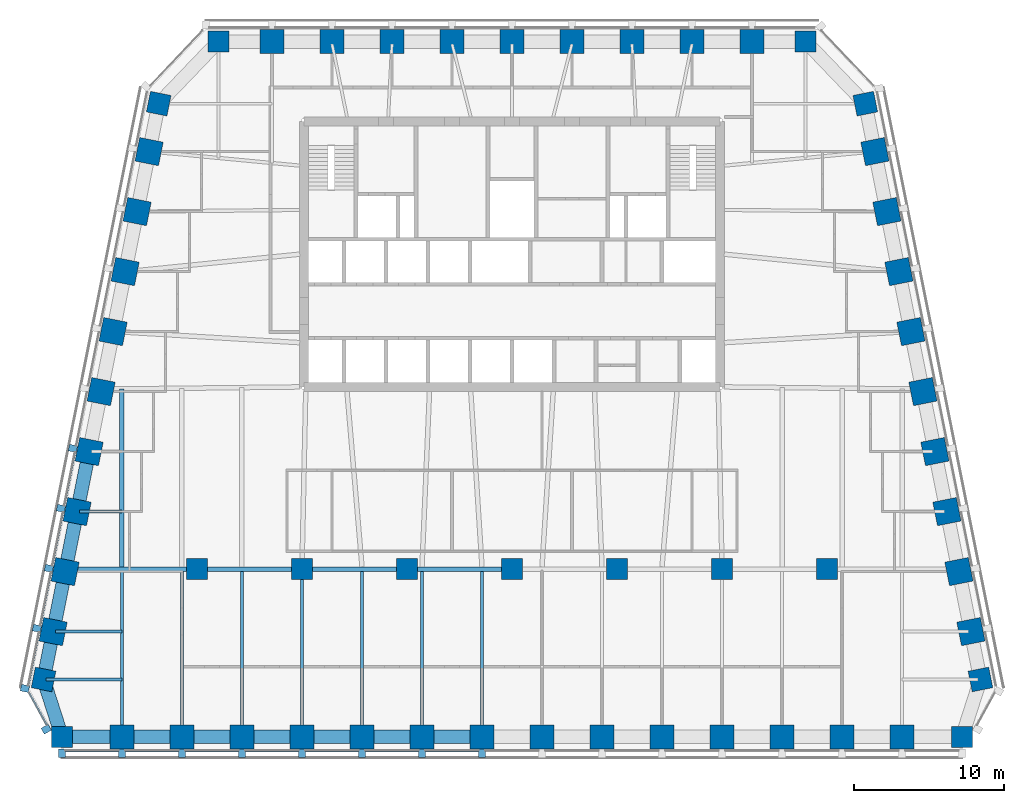
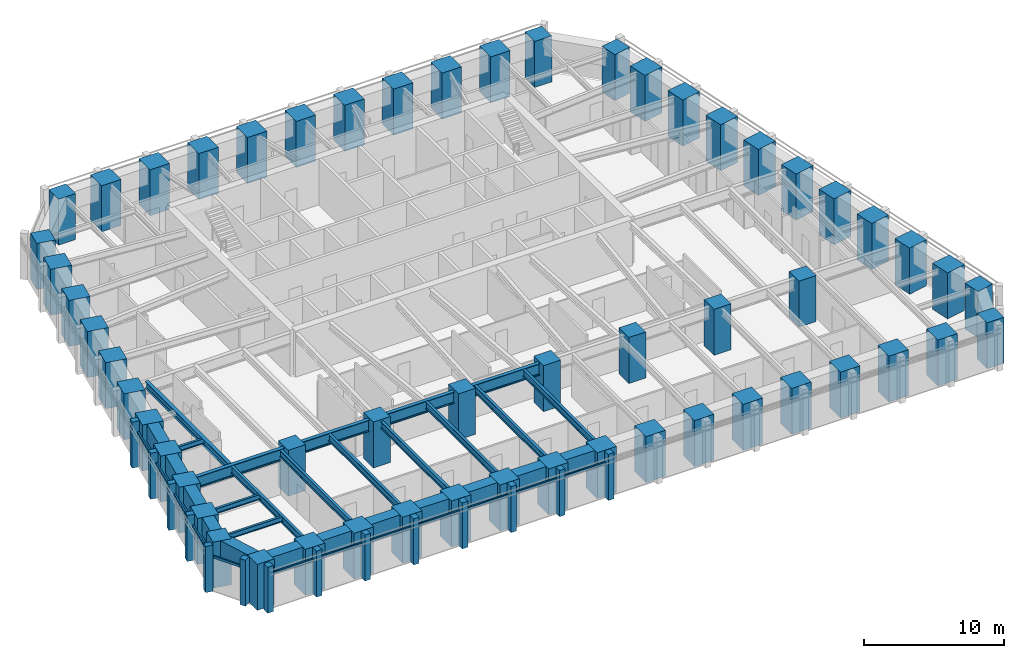
# One storey, part 1 of 11: 56 columns, 27 beams, 26 members, 3 elements without a shape of their own.
"""IFC4 building model written with IfcOpenShell, lengths in metres."""

from ifc_helpers import new_model, si_unit, direction, frame, origin, origin_2d, place, context, subcontext, project, spatial, rectangle, i_section, extrude, material, material_profile, profile_set, type_object, element, aggregate, save


model = new_model("IFC4")

# Units and contexts
model_context = context("Model", 3, precision=1e-05, world=origin(), true_north=direction((0.0, 1.0)))
body_context = subcontext(model_context, "Body", "Model", "MODEL_VIEW")
ifc_project = project(units=[si_unit("LENGTHUNIT", "METRE"), si_unit("AREAUNIT", "SQUARE_METRE"), si_unit("VOLUMEUNIT", "CUBIC_METRE"), si_unit("PLANEANGLEUNIT", "RADIAN"), si_unit("MASSUNIT", "GRAM", prefix="KILO")], contexts=[model_context])

# Site, building, storey
site_placement = place(None, origin())
site = spatial("IfcSite", under=ifc_project, at=site_placement, CompositionType="ELEMENT")
building_placement = place(site_placement, origin())
building = spatial("IfcBuilding", under=site, at=building_placement, Name="Isbrekke Arena Tower", CompositionType="ELEMENT")
storey_placement = place(building_placement, frame((0.0, 0.0, 202.0)))
storey = spatial("IfcBuildingStorey", under=building, at=storey_placement, Name="L46", CompositionType="ELEMENT", Elevation=202.0)

# Columns
ifc_material_1 = material(Name="Concrete B65 (C65/80)", Category="concrete")
ifc_material_profile_1 = material_profile(ifc_material_1, rectangle(XDim=1.39990234375, YDim=1.39990234375, at=origin_2d()), Name="RC 1400x1400")
ifc_profile_set_1 = profile_set([ifc_material_profile_1], Name="Concrete B65 (C65/80)")
column_type_1 = type_object("IfcColumnType", Name="C13 RC 1400 x 1400", PredefinedType="COLUMN", material=ifc_profile_set_1)
for number, where, z_axis, x_axis, name in (
    (1, (-21.0, -6.0, 0.0), (0.0, 0.0, 1.0), (1.0, 0.0, 0.0), "C13 I01"),
    (2, (-14.0, -6.0, 0.0), (0.0, 0.0, 1.0), (1.0, 0.0, 0.0), "C13 I02"),
    (3, (-7.0, -6.0, 0.0), (0.0, 0.0, 1.0), (1.0, 0.0, 0.0), "C13 I03"),
    (4, (0.0, -6.0, 0.0), (0.0, 0.0, 1.0), (1.0, 0.0, 0.0), "C13 I04"),
    (5, (7.0, -6.0, 0.0), (0.0, 0.0, 1.0), (1.0, 0.0, 0.0), "C13 I05"),
    (6, (14.0, -6.0, 0.0), (0.0, 0.0, 1.0), (1.0, 0.0, 0.0), "C13 I06"),
    (7, (21.0, -6.0, 0.0), (0.0, 0.0, 1.0), (1.0, 0.0, 0.0), "C13 I07"),
):
    element("IfcColumn", number, at=place(storey_placement, frame(where, z_axis=z_axis, x_axis=x_axis)), inside=storey, type_object=column_type_1, Name=name, PredefinedType="COLUMN", context=body_context, shape_type="SweptSolid", body=[
        extrude(rectangle(XDim=1.39990234375, YDim=1.39990234375, at=origin_2d()), origin(), (0.0, 0.0, 1.0), 4.0),
    ])
ifc_material_2 = material(Name="Concrete B65 (C65/80)", Category="concrete")
ifc_material_profile_2 = material_profile(ifc_material_2, rectangle(XDim=1.60009765625, YDim=1.60009765625, at=origin_2d()), Name="RC 1600x1600")
ifc_profile_set_2 = profile_set([ifc_material_profile_2], Name="Concrete B65 (C65/80)")
column_type_2 = type_object("IfcColumnType", Name="C4 RC 1600 x 1600", PredefinedType="COLUMN", material=ifc_profile_set_2)
for number, where, z_axis, x_axis, name in (
    (8, (-26.0, -17.175048828125, 0.0), (0.0, 0.0, 1.0), (1.0, 0.0, 0.0), "C4 S02"),
    (9, (-22.0, -17.175048828125, 0.0), (0.0, 0.0, 1.0), (1.0, 0.0, 0.0), "C4 S03"),
    (10, (-18.0, -17.175048828125, 0.0), (0.0, 0.0, 1.0), (1.0, 0.0, 0.0), "C4 S04"),
    (11, (-14.0, -17.175048828125, 0.0), (0.0, 0.0, 1.0), (1.0, 0.0, 0.0), "C4 S05"),
    (12, (-10.0, -17.175048828125, 0.0), (0.0, 0.0, 1.0), (1.0, 0.0, 0.0), "C4 S06"),
    (13, (-6.0, -17.175048828125, 0.0), (0.0, 0.0, 1.0), (1.0, 0.0, 0.0), "C4 S07"),
    (14, (-2.0, -17.175048828125, 0.0), (0.0, 0.0, 1.0), (1.0, 0.0, 0.0), "C4 S08"),
    (15, (2.0, -17.175048828125, 0.0), (0.0, 0.0, 1.0), (1.0, 0.0, 0.0), "C4 S09"),
    (16, (6.0, -17.175048828125, 0.0), (0.0, 0.0, 1.0), (1.0, 0.0, 0.0), "C4 S10"),
    (17, (10.0, -17.175048828125, 0.0), (0.0, 0.0, 1.0), (1.0, 0.0, 0.0), "C4 S11"),
    (18, (14.0, -17.175048828125, 0.0), (0.0, 0.0, 1.0), (1.0, 0.0, 0.0), "C4 S12"),
    (19, (18.0, -17.175048828125, 0.0), (0.0, 0.0, 1.0), (1.0, 0.0, 0.0), "C4 S13"),
    (20, (22.0, -17.175048828125, 0.0), (0.0, 0.0, 1.0), (1.0, 0.0, 0.0), "C4 S14"),
    (21, (26.0, -17.175048828125, 0.0), (0.0, 0.0, 1.0), (1.0, 0.0, 0.0), "C4 S15"),
    (22, (30.591064453125, -10.161865234375, 0.0), (0.0, 0.0, 1.0), (-0.196116135138, 0.980580675691, 0.0), "C4 E02"),
    (23, (29.791015625, -6.161865234375, 0.0), (0.0, 0.0, 1.0), (-0.196116135138, 0.980580675691, 0.0), "C4 E03"),
    (24, (28.990966796875, -2.161865234375, 0.0), (0.0, 0.0, 1.0), (-0.196116135138, 0.980580675691, 0.0), "C4 E04"),
    (25, (28.19091796875, 1.838134765625, 0.0), (0.0, 0.0, 1.0), (-0.196116135138, 0.980580675691, 0.0), "C4 E05"),
    (26, (27.39111328125, 5.838134765625, 0.0), (0.0, 0.0, 1.0), (-0.196116135138, 0.980580675691, 0.0), "C4 E06"),
    (27, (26.591064453125, 9.838134765625, 0.0), (0.0, 0.0, 1.0), (-0.196116135138, 0.980580675691, 0.0), "C4 E07"),
    (28, (25.791015625, 13.838134765625, 0.0), (0.0, 0.0, 1.0), (-0.196116135138, 0.980580675691, 0.0), "C4 E08"),
    (29, (24.990966796875, 17.838134765625, 0.0), (0.0, 0.0, 1.0), (-0.196116135138, 0.980580675691, 0.0), "C4 E09"),
    (30, (24.19091796875, 21.838134765625, 0.0), (0.0, 0.0, 1.0), (-0.196116135138, 0.980580675691, 0.0), "C4 E10"),
    (31, (16.0, 29.175048828125, 0.0), (0.0, 0.0, 1.0), (-1.0, 0.0, 0.0), "C4 N02"),
    (32, (12.0, 29.175048828125, 0.0), (0.0, 0.0, 1.0), (-1.0, 0.0, 0.0), "C4 N03"),
    (33, (8.0, 29.175048828125, 0.0), (0.0, 0.0, 1.0), (-1.0, 0.0, 0.0), "C4 N04"),
    (34, (4.0, 29.175048828125, 0.0), (0.0, 0.0, 1.0), (-1.0, 0.0, 0.0), "C4 N05"),
    (35, (0.0, 29.175048828125, 0.0), (0.0, 0.0, 1.0), (-1.0, 0.0, 0.0), "C4 N06"),
    (36, (-4.0, 29.175048828125, 0.0), (0.0, 0.0, 1.0), (-1.0, 0.0, 0.0), "C4 N07"),
    (37, (-8.0, 29.175048828125, 0.0), (0.0, 0.0, 1.0), (-1.0, 0.0, 0.0), "C4 N08"),
    (38, (-12.0, 29.175048828125, 0.0), (0.0, 0.0, 1.0), (-1.0, 0.0, 0.0), "C4 N09"),
    (39, (-16.0, 29.175048828125, 0.0), (0.0, 0.0, 1.0), (-1.0, 0.0, 0.0), "C4 N10"),
    (40, (-24.19091796875, 21.838134765625, 0.0), (0.0, 0.0, 1.0), (-0.196116135138, -0.980580675691, 0.0), "C4 W02"),
    (41, (-24.990966796875, 17.838134765625, 0.0), (0.0, 0.0, 1.0), (-0.196116135138, -0.980580675691, 0.0), "C4 W03"),
    (42, (-25.791015625, 13.838134765625, 0.0), (0.0, 0.0, 1.0), (-0.196116135138, -0.980580675691, 0.0), "C4 W04"),
    (43, (-26.591064453125, 9.838134765625, 0.0), (0.0, 0.0, 1.0), (-0.196116135138, -0.980580675691, 0.0), "C4 W05"),
    (44, (-27.39111328125, 5.838134765625, 0.0), (0.0, 0.0, 1.0), (-0.196116135138, -0.980580675691, 0.0), "C4 W06"),
    (45, (-28.19091796875, 1.838134765625, 0.0), (0.0, 0.0, 1.0), (-0.196116135138, -0.980580675691, 0.0), "C4 W07"),
    (46, (-28.990966796875, -2.161865234375, 0.0), (0.0, 0.0, 1.0), (-0.196116135138, -0.980580675691, 0.0), "C4 W08"),
    (47, (-29.791015625, -6.161865234375, 0.0), (0.0, 0.0, 1.0), (-0.196116135138, -0.980580675691, 0.0), "C4 W09"),
    (48, (-30.591064453125, -10.161865234375, 0.0), (0.0, 0.0, 1.0), (-0.196116135138, -0.980580675691, 0.0), "C4 W10"),
):
    element("IfcColumn", number, at=place(storey_placement, frame(where, z_axis=z_axis, x_axis=x_axis)), inside=storey, type_object=column_type_2, Name=name, PredefinedType="COLUMN", context=body_context, shape_type="SweptSolid", body=[
        extrude(rectangle(XDim=1.60009765625, YDim=1.60009765625, at=origin_2d()), origin(), (0.0, 0.0, 1.0), 4.0),
    ])
ifc_material_3 = material(Name="Concrete B65 (C65/80)", Category="concrete")
ifc_material_profile_3 = material_profile(ifc_material_3, rectangle(XDim=1.39990234375, YDim=1.39990234375, at=origin_2d()), Name="RC 1400x1400")
ifc_profile_set_3 = profile_set([ifc_material_profile_3], Name="Concrete B65 (C65/80)")
column_type_3 = type_object("IfcColumnType", Name="C8 RC 1400 x 1400", PredefinedType="COLUMN", material=ifc_profile_set_3)
for number, where, z_axis, x_axis, name in (
    (49, (-30.0, -17.175048828125, 0.0), (0.0, 0.0, 1.0), (1.0, 0.0, 0.0), "C8 S01"),
    (50, (30.0, -17.175048828125, 0.0), (0.0, 0.0, 1.0), (1.0, 0.0, 0.0), "C8 S16"),
    (51, (31.229248046875, -13.352783203125, 0.0), (0.0, 0.0, 1.0), (-0.196116135138, 0.980580675691, 0.0), "C8 E01"),
    (52, (23.552734375, 25.029296875, 0.0), (0.0, 0.0, 1.0), (-0.196116135138, 0.980580675691, 0.0), "C8 E11"),
    (53, (19.574951171875, 29.175048828125, 0.0), (0.0, 0.0, 1.0), (-1.0, 0.0, 0.0), "C8 N01"),
    (54, (-19.574951171875, 29.175048828125, 0.0), (0.0, 0.0, 1.0), (-1.0, 0.0, 0.0), "C8 N11"),
    (55, (-23.552734375, 25.029296875, 0.0), (0.0, 0.0, 1.0), (-0.196116135138, -0.980580675691, 0.0), "C8 W01"),
    (56, (-31.229248046875, -13.352783203125, 0.0), (0.0, 0.0, 1.0), (-0.196116135138, -0.980580675691, 0.0), "C8 W11"),
):
    element("IfcColumn", number, at=place(storey_placement, frame(where, z_axis=z_axis, x_axis=x_axis)), inside=storey, type_object=column_type_3, Name=name, PredefinedType="COLUMN", context=body_context, shape_type="SweptSolid", body=[
        extrude(rectangle(XDim=1.39990234375, YDim=1.39990234375, at=origin_2d()), origin(), (0.0, 0.0, 1.0), 4.0),
    ])

# Beams
ifc_material_4 = material(Name="Steel S355", Category="steel")
ifc_material_profile_4 = material_profile(ifc_material_4, i_section(OverallWidth=0.219970703125, OverallDepth=0.60009765625, WebThickness=0.011962890625, FlangeThickness=0.01904296875, FilletRadius=0.02392578125, at=origin_2d()), Name="IPE 600")
ifc_profile_set_4 = profile_set([ifc_material_profile_4], Name="Steel S355")
beam_type_1 = type_object("IfcBeamType", Name="B1 IPE 600", PredefinedType="BEAM", material=ifc_profile_set_4)
for number, where, z_axis, x_axis, name in (
    (57, (-26.0, -17.02490234375, 3.550048828125), (0.0, 1.0, 0.0), (-1.0, 0.0, 0.0), "B1 beam S-S02 L46"),
    (58, (-22.0, -17.02490234375, 3.550048828125), (0.0, 1.0, 0.0), (-1.0, 0.0, 0.0), "B1 beam S-S03 L46"),
    (59, (-18.0, -17.02490234375, 3.550048828125), (0.0, 1.0, 0.0), (-1.0, 0.0, 0.0), "B1 beam S-S04 L46"),
):
    element("IfcBeam", number, at=place(storey_placement, frame(where, z_axis=z_axis, x_axis=x_axis)), inside=storey, type_object=beam_type_1, Name=name, PredefinedType="BEAM", context=body_context, shape_type="SweptSolid", body=[
        extrude(i_section(OverallWidth=0.219970703125, OverallDepth=0.60009765625, WebThickness=0.011962890625, FlangeThickness=0.01904296875, FilletRadius=0.02392578125, at=origin_2d()), origin(), (0.0, 0.0, 1.0), 10.8740234375),
    ])
beam_1_placement = place(storey_placement, frame((-14.0, -17.02490234375, 3.550048828125), z_axis=(0.0, 1.0, 0.0), x_axis=(-1.0, 0.0, 0.0)))
element("IfcBeam", 60, at=beam_1_placement, inside=storey, type_object=beam_type_1, Name="B1 beam S-S05 L46", PredefinedType="BEAM", context=body_context, shape_type="SweptSolid", body=[
    extrude(i_section(OverallWidth=0.219970703125, OverallDepth=0.60009765625, WebThickness=0.011962890625, FlangeThickness=0.01904296875, FilletRadius=0.02392578125, at=origin_2d()), origin(), (0.0, 0.0, 1.0), 10.875),
])
for number, where, z_axis, x_axis, name in (
    (61, (-10.0, -17.02490234375, 3.550048828125), (0.0, 1.0, 0.0), (-1.0, 0.0, 0.0), "B1 beam S-S06 L46"),
    (62, (-6.0, -17.02490234375, 3.550048828125), (0.0, 1.0, 0.0), (-1.0, 0.0, 0.0), "B1 beam S-S07 L46"),
    (63, (-2.0, -17.02490234375, 3.550048828125), (0.0, 1.0, 0.0), (-1.0, 0.0, 0.0), "B1 beam S-S08 L46"),
):
    element("IfcBeam", number, at=place(storey_placement, frame(where, z_axis=z_axis, x_axis=x_axis)), inside=storey, type_object=beam_type_1, Name=name, PredefinedType="BEAM", context=body_context, shape_type="SweptSolid", body=[
        extrude(i_section(OverallWidth=0.219970703125, OverallDepth=0.60009765625, WebThickness=0.011962890625, FlangeThickness=0.01904296875, FilletRadius=0.02392578125, at=origin_2d()), origin(), (0.0, 0.0, 1.0), 10.8740234375),
    ])
ifc_material_5 = material(Name="Steel S355", Category="steel")
ifc_material_profile_5 = material_profile(ifc_material_5, i_section(OverallWidth=0.18994140625, OverallDepth=0.449951171875, WebThickness=0.009521484375, FlangeThickness=0.0146484375, FilletRadius=0.02099609375, at=origin_2d()), Name="IPE 450")
ifc_profile_set_5 = profile_set([ifc_material_profile_5], Name="Steel S355")
beam_type_2 = type_object("IfcBeamType", Name="B2 IPE 450", PredefinedType="BEAM", material=ifc_profile_set_5)
beam_2_placement = place(storey_placement, frame((-28.841064453125, -2.161865234375, 3.625), z_axis=(1.0, 0.0, 0.0), x_axis=(0.0, 1.0, 0.0)))
element("IfcBeam", 64, at=beam_2_placement, inside=storey, type_object=beam_type_2, Name="B2 beam E-W08 L46", PredefinedType="BEAM", context=body_context, shape_type="SweptSolid", body=[
    extrude(i_section(OverallWidth=0.18994140625, OverallDepth=0.449951171875, WebThickness=0.009521484375, FlangeThickness=0.0146484375, FilletRadius=0.02099609375, at=origin_2d()), origin(), (0.0, 0.0, 1.0), 2.841064453125),
])
beam_3_placement = place(storey_placement, frame((-30.44091796875, -10.161865234375, 3.625), z_axis=(1.0, 0.0, 0.0), x_axis=(0.0, 1.0, 0.0)))
element("IfcBeam", 65, at=beam_3_placement, inside=storey, type_object=beam_type_2, Name="B2 beam E-W10 L46", PredefinedType="BEAM", context=body_context, shape_type="SweptSolid", body=[
    extrude(i_section(OverallWidth=0.18994140625, OverallDepth=0.449951171875, WebThickness=0.009521484375, FlangeThickness=0.0146484375, FilletRadius=0.02099609375, at=origin_2d()), origin(), (0.0, 0.0, 1.0), 4.44091796875),
])
beam_4_placement = place(storey_placement, frame((-31.079345703125, -13.352783203125, 3.625), z_axis=(1.0, 0.0, 0.0), x_axis=(0.0, 1.0, 0.0)))
element("IfcBeam", 66, at=beam_4_placement, inside=storey, type_object=beam_type_2, Name="B2 beam E-W11 L46", PredefinedType="BEAM", context=body_context, shape_type="SweptSolid", body=[
    extrude(i_section(OverallWidth=0.18994140625, OverallDepth=0.449951171875, WebThickness=0.009521484375, FlangeThickness=0.0146484375, FilletRadius=0.02099609375, at=origin_2d()), origin(), (0.0, 0.0, 1.0), 5.079345703125),
])
ifc_material_6 = material(Name="Steel S355", Category="steel")
ifc_material_profile_6 = material_profile(ifc_material_6, i_section(OverallWidth=0.300048828125, OverallDepth=0.60009765625, WebThickness=0.015380859375, FlangeThickness=0.030029296875, FilletRadius=0.027099609375, at=origin_2d()), Name="HEB 600")
ifc_profile_set_6 = profile_set([ifc_material_profile_6], Name="Steel S355")
beam_type_3 = type_object("IfcBeamType", Name="B7 HEB 600", PredefinedType="BEAM", material=ifc_profile_set_6)
beam_5_placement = place(storey_placement, frame((-26.0, -5.84912109375, 3.550048828125), z_axis=(0.0, 1.0, 0.0), x_axis=(-1.0, 0.0, 0.0)))
element("IfcBeam", 67, at=beam_5_placement, inside=storey, type_object=beam_type_3, Name="B7 beam C-M01 L46", PredefinedType="BEAM", context=body_context, shape_type="SweptSolid", body=[
    extrude(i_section(OverallWidth=0.300048828125, OverallDepth=0.60009765625, WebThickness=0.015380859375, FlangeThickness=0.030029296875, FilletRadius=0.027099609375, at=origin_2d()), origin(), (0.0, 0.0, 1.0), 11.864990234375),
])

# Curtain wall, members
ifc_material_7 = material(Name="Glazed aluminium curtain wall", Category="aluminium")
curtain_wall_type = type_object("IfcCurtainWallType", Name="CWH TOWER CURTAIN WALL HIGH ZONE", PredefinedType="USERDEFINED", material=ifc_material_7)
curtain_wall_1_placement = place(storey_placement, origin())
curtain_wall_1 = element("IfcCurtainWall", 68, at=curtain_wall_1_placement, inside=storey, type_object=curtain_wall_type, Name="CWH curtain wall L46-S", ObjectType="TOWER CURTAIN WALL HIGH ZONE", PredefinedType="USERDEFINED")
ifc_material_8 = material(Name="Aluminium mullion, pale brick slip cladding", Category="masonry")
ifc_material_profile_7 = material_profile(ifc_material_8, rectangle(XDim=0.449951171875, YDim=0.550048828125, at=origin_2d()), Name="PIER 450X550")
ifc_profile_set_7 = profile_set([ifc_material_profile_7], Name="Aluminium mullion, pale brick slip cladding")
member_type_1 = type_object("IfcMemberType", Name="CWH-M PIER MULLION 450 x 550", PredefinedType="MULLION", material=ifc_profile_set_7)
member_1_placement = place(storey_placement, frame((-30.0, -18.27490234375, 0.0), z_axis=(0.0, 0.0, 1.0), x_axis=(1.0, 0.0, 0.0)))
member_1 = element("IfcMember", 69, at=member_1_placement, type_object=member_type_1, Name="CWH-M mullion 1", PredefinedType="MULLION", context=body_context, shape_type="SweptSolid", body=[
    extrude(rectangle(XDim=0.449951171875, YDim=0.550048828125, at=origin_2d()), origin(), (0.0, 0.0, 1.0), 4.0),
])
member_2_placement = place(storey_placement, frame((-26.0, -18.27490234375, 0.0), z_axis=(0.0, 0.0, 1.0), x_axis=(1.0, 0.0, 0.0)))
member_2 = element("IfcMember", 70, at=member_2_placement, type_object=member_type_1, Name="CWH-M mullion 2", PredefinedType="MULLION", context=body_context, shape_type="SweptSolid", body=[
    extrude(rectangle(XDim=0.449951171875, YDim=0.550048828125, at=origin_2d()), origin(), (0.0, 0.0, 1.0), 4.0),
])
member_3_placement = place(storey_placement, frame((-22.0, -18.27490234375, 0.0), z_axis=(0.0, 0.0, 1.0), x_axis=(1.0, 0.0, 0.0)))
member_3 = element("IfcMember", 71, at=member_3_placement, type_object=member_type_1, Name="CWH-M mullion 3", PredefinedType="MULLION", context=body_context, shape_type="SweptSolid", body=[
    extrude(rectangle(XDim=0.449951171875, YDim=0.550048828125, at=origin_2d()), origin(), (0.0, 0.0, 1.0), 4.0),
])
member_4_placement = place(storey_placement, frame((-18.0, -18.27490234375, 0.0), z_axis=(0.0, 0.0, 1.0), x_axis=(1.0, 0.0, 0.0)))
member_4 = element("IfcMember", 72, at=member_4_placement, type_object=member_type_1, Name="CWH-M mullion 4", PredefinedType="MULLION", context=body_context, shape_type="SweptSolid", body=[
    extrude(rectangle(XDim=0.449951171875, YDim=0.550048828125, at=origin_2d()), origin(), (0.0, 0.0, 1.0), 4.0),
])
member_5_placement = place(storey_placement, frame((-14.0, -18.27490234375, 0.0), z_axis=(0.0, 0.0, 1.0), x_axis=(1.0, 0.0, 0.0)))
member_5 = element("IfcMember", 73, at=member_5_placement, type_object=member_type_1, Name="CWH-M mullion 5", PredefinedType="MULLION", context=body_context, shape_type="SweptSolid", body=[
    extrude(rectangle(XDim=0.449951171875, YDim=0.550048828125, at=origin_2d()), origin(), (0.0, 0.0, 1.0), 4.0),
])
member_6_placement = place(storey_placement, frame((-10.0, -18.27490234375, 0.0), z_axis=(0.0, 0.0, 1.0), x_axis=(1.0, 0.0, 0.0)))
member_6 = element("IfcMember", 74, at=member_6_placement, type_object=member_type_1, Name="CWH-M mullion 6", PredefinedType="MULLION", context=body_context, shape_type="SweptSolid", body=[
    extrude(rectangle(XDim=0.449951171875, YDim=0.550048828125, at=origin_2d()), origin(), (0.0, 0.0, 1.0), 4.0),
])
member_7_placement = place(storey_placement, frame((-6.0, -18.27490234375, 0.0), z_axis=(0.0, 0.0, 1.0), x_axis=(1.0, 0.0, 0.0)))
member_7 = element("IfcMember", 75, at=member_7_placement, type_object=member_type_1, Name="CWH-M mullion 7", PredefinedType="MULLION", context=body_context, shape_type="SweptSolid", body=[
    extrude(rectangle(XDim=0.449951171875, YDim=0.550048828125, at=origin_2d()), origin(), (0.0, 0.0, 1.0), 4.0),
])
member_8_placement = place(storey_placement, frame((-2.0, -18.27490234375, 0.0), z_axis=(0.0, 0.0, 1.0), x_axis=(1.0, 0.0, 0.0)))
member_8 = element("IfcMember", 76, at=member_8_placement, type_object=member_type_1, Name="CWH-M mullion 8", PredefinedType="MULLION", context=body_context, shape_type="SweptSolid", body=[
    extrude(rectangle(XDim=0.449951171875, YDim=0.550048828125, at=origin_2d()), origin(), (0.0, 0.0, 1.0), 4.0),
])

curtain_wall_2_placement = place(storey_placement, origin())
curtain_wall_2 = element("IfcCurtainWall", 77, at=curtain_wall_2_placement, inside=storey, type_object=curtain_wall_type, Name="CWH curtain wall L46-W", ObjectType="TOWER CURTAIN WALL HIGH ZONE", PredefinedType="USERDEFINED")
member_9_placement = place(storey_placement, frame((-29.269775390625, 2.053955078125, 0.0), z_axis=(0.0, 0.0, 1.0), x_axis=(-0.196116135138, -0.980580675691, 0.0)))
member_9 = element("IfcMember", 78, at=member_9_placement, type_object=member_type_1, Name="CWH-M mullion 6", PredefinedType="MULLION", context=body_context, shape_type="SweptSolid", body=[
    extrude(rectangle(XDim=0.449951171875, YDim=0.550048828125, at=origin_2d()), origin(), (0.0, 0.0, 1.0), 4.0),
])
member_10_placement = place(storey_placement, frame((-30.069580078125, -1.946044921875, 0.0), z_axis=(0.0, 0.0, 1.0), x_axis=(-0.196116135138, -0.980580675691, 0.0)))
member_10 = element("IfcMember", 79, at=member_10_placement, type_object=member_type_1, Name="CWH-M mullion 7", PredefinedType="MULLION", context=body_context, shape_type="SweptSolid", body=[
    extrude(rectangle(XDim=0.449951171875, YDim=0.550048828125, at=origin_2d()), origin(), (0.0, 0.0, 1.0), 4.0),
])
member_11_placement = place(storey_placement, frame((-30.86962890625, -5.946044921875, 0.0), z_axis=(0.0, 0.0, 1.0), x_axis=(-0.196116135138, -0.980580675691, 0.0)))
member_11 = element("IfcMember", 80, at=member_11_placement, type_object=member_type_1, Name="CWH-M mullion 8", PredefinedType="MULLION", context=body_context, shape_type="SweptSolid", body=[
    extrude(rectangle(XDim=0.449951171875, YDim=0.550048828125, at=origin_2d()), origin(), (0.0, 0.0, 1.0), 4.0),
])
member_12_placement = place(storey_placement, frame((-31.669677734375, -9.946044921875, 0.0), z_axis=(0.0, 0.0, 1.0), x_axis=(-0.196116135138, -0.980580675691, 0.0)))
member_12 = element("IfcMember", 81, at=member_12_placement, type_object=member_type_1, Name="CWH-M mullion 9", PredefinedType="MULLION", context=body_context, shape_type="SweptSolid", body=[
    extrude(rectangle(XDim=0.449951171875, YDim=0.550048828125, at=origin_2d()), origin(), (0.0, 0.0, 1.0), 4.0),
])
member_13_placement = place(storey_placement, frame((-32.4697265625, -13.946044921875, 0.0), z_axis=(0.0, 0.0, 1.0), x_axis=(-0.196116135138, -0.980580675691, 0.0)))
member_13 = element("IfcMember", 82, at=member_13_placement, type_object=member_type_1, Name="CWH-M mullion 10", PredefinedType="MULLION", context=body_context, shape_type="SweptSolid", body=[
    extrude(rectangle(XDim=0.449951171875, YDim=0.550048828125, at=origin_2d()), origin(), (0.0, 0.0, 1.0), 4.0),
])

# Curtain wall, member
curtain_wall_3_placement = place(storey_placement, origin())
curtain_wall_3 = element("IfcCurtainWall", 83, at=curtain_wall_3_placement, inside=storey, type_object=curtain_wall_type, Name="CWH curtain wall L46-WS", ObjectType="TOWER CURTAIN WALL HIGH ZONE", PredefinedType="USERDEFINED")
member_14_placement = place(storey_placement, frame((-31.04638671875, -16.66796875, 0.0), z_axis=(0.0, 0.0, 1.0), x_axis=(0.481918749773, -0.876215908676, 0.0)))
member_14 = element("IfcMember", 84, at=member_14_placement, type_object=member_type_1, Name="CWH-M mullion 1", PredefinedType="MULLION", context=body_context, shape_type="SweptSolid", body=[
    extrude(rectangle(XDim=0.449951171875, YDim=0.550048828125, at=origin_2d()), origin(), (0.0, 0.0, 1.0), 4.0),
])

# Member
ifc_material_9 = material(Name="Aluminium transom", Category="aluminium")
ifc_material_profile_8 = material_profile(ifc_material_9, rectangle(XDim=0.1201171875, YDim=0.199951171875, at=origin_2d()), Name="TRANSOM 120X200")
ifc_profile_set_8 = profile_set([ifc_material_profile_8], Name="Aluminium transom")
member_type_2 = type_object("IfcMemberType", Name="CWH-T TRANSOM 120 x 200", PredefinedType="USERDEFINED", material=ifc_profile_set_8)
member_15_placement = place(storey_placement, frame((-29.77490234375, -18.10009765625, 3.0), z_axis=(1.0, 0.0, 0.0), x_axis=(0.0, 1.0, 0.0)))
member_15 = element("IfcMember", 85, at=member_15_placement, type_object=member_type_2, Name="CWH-T transom 1", ObjectType="TRANSOM", PredefinedType="USERDEFINED", context=body_context, shape_type="SweptSolid", body=[
    extrude(rectangle(XDim=0.1201171875, YDim=0.199951171875, at=origin_2d()), origin(), (0.0, 0.0, 1.0), 3.5498046875),
])

member_16_placement = place(storey_placement, frame((-25.77490234375, -18.10009765625, 3.0), z_axis=(1.0, 0.0, 0.0), x_axis=(0.0, 1.0, 0.0)))
member_16 = element("IfcMember", 86, at=member_16_placement, type_object=member_type_2, Name="CWH-T transom 2", ObjectType="TRANSOM", PredefinedType="USERDEFINED", context=body_context, shape_type="SweptSolid", body=[
    extrude(rectangle(XDim=0.1201171875, YDim=0.199951171875, at=origin_2d()), origin(), (0.0, 0.0, 1.0), 3.5498046875),
])

member_17_placement = place(storey_placement, frame((-21.77490234375, -18.10009765625, 3.0), z_axis=(1.0, 0.0, 0.0), x_axis=(0.0, 1.0, 0.0)))
member_17 = element("IfcMember", 87, at=member_17_placement, type_object=member_type_2, Name="CWH-T transom 3", ObjectType="TRANSOM", PredefinedType="USERDEFINED", context=body_context, shape_type="SweptSolid", body=[
    extrude(rectangle(XDim=0.1201171875, YDim=0.199951171875, at=origin_2d()), origin(), (0.0, 0.0, 1.0), 3.5498046875),
])

member_18_placement = place(storey_placement, frame((-17.77490234375, -18.10009765625, 3.0), z_axis=(1.0, 0.0, 0.0), x_axis=(0.0, 1.0, 0.0)))
member_18 = element("IfcMember", 88, at=member_18_placement, type_object=member_type_2, Name="CWH-T transom 4", ObjectType="TRANSOM", PredefinedType="USERDEFINED", context=body_context, shape_type="SweptSolid", body=[
    extrude(rectangle(XDim=0.1201171875, YDim=0.199951171875, at=origin_2d()), origin(), (0.0, 0.0, 1.0), 3.5498046875),
])

member_19_placement = place(storey_placement, frame((-13.77490234375, -18.10009765625, 3.0), z_axis=(1.0, 0.0, 0.0), x_axis=(0.0, 1.0, 0.0)))
member_19 = element("IfcMember", 89, at=member_19_placement, type_object=member_type_2, Name="CWH-T transom 5", ObjectType="TRANSOM", PredefinedType="USERDEFINED", context=body_context, shape_type="SweptSolid", body=[
    extrude(rectangle(XDim=0.1201171875, YDim=0.199951171875, at=origin_2d()), origin(), (0.0, 0.0, 1.0), 3.5498046875),
])

member_20_placement = place(storey_placement, frame((-9.77490234375, -18.10009765625, 3.0), z_axis=(1.0, 0.0, 0.0), x_axis=(0.0, 1.0, 0.0)))
member_20 = element("IfcMember", 90, at=member_20_placement, type_object=member_type_2, Name="CWH-T transom 6", ObjectType="TRANSOM", PredefinedType="USERDEFINED", context=body_context, shape_type="SweptSolid", body=[
    extrude(rectangle(XDim=0.1201171875, YDim=0.199951171875, at=origin_2d()), origin(), (0.0, 0.0, 1.0), 3.5498046875),
])

member_21_placement = place(storey_placement, frame((-5.77490234375, -18.10009765625, 3.0), z_axis=(1.0, 0.0, 0.0), x_axis=(0.0, 1.0, 0.0)))
member_21 = element("IfcMember", 91, at=member_21_placement, type_object=member_type_2, Name="CWH-T transom 7", ObjectType="TRANSOM", PredefinedType="USERDEFINED", context=body_context, shape_type="SweptSolid", body=[
    extrude(rectangle(XDim=0.1201171875, YDim=0.199951171875, at=origin_2d()), origin(), (0.0, 0.0, 1.0), 3.5498046875),
])

aggregate(curtain_wall_1, [member_1, member_2, member_3, member_4, member_5, member_6, member_7, member_8, member_15, member_16, member_17, member_18, member_19, member_20, member_21])

member_22_placement = place(storey_placement, frame((-29.14208984375, 1.799072265625, 3.0), z_axis=(-0.196154943734, -0.980572913173, 0.0), x_axis=(0.980572913173, -0.196154943734, 0.0)))
member_22 = element("IfcMember", 92, at=member_22_placement, type_object=member_type_2, Name="CWH-T transom 7", ObjectType="TRANSOM", PredefinedType="USERDEFINED", context=body_context, shape_type="SweptSolid", body=[
    extrude(rectangle(XDim=0.1201171875, YDim=0.199951171875, at=origin_2d()), origin(), (0.0, 0.0, 1.0), 3.62939453125),
])

member_23_placement = place(storey_placement, frame((-29.942138671875, -2.200927734375, 3.0), z_axis=(-0.196154943734, -0.980572913173, 0.0), x_axis=(0.980572913173, -0.196154943734, 0.0)))
member_23 = element("IfcMember", 93, at=member_23_placement, type_object=member_type_2, Name="CWH-T transom 8", ObjectType="TRANSOM", PredefinedType="USERDEFINED", context=body_context, shape_type="SweptSolid", body=[
    extrude(rectangle(XDim=0.1201171875, YDim=0.199951171875, at=origin_2d()), origin(), (0.0, 0.0, 1.0), 3.62939453125),
])

member_24_placement = place(storey_placement, frame((-30.7421875, -6.200927734375, 3.0), z_axis=(-0.196090262229, -0.980585849918, 0.0), x_axis=(0.980585849918, -0.196090262229, 0.0)))
member_24 = element("IfcMember", 94, at=member_24_placement, type_object=member_type_2, Name="CWH-T transom 9", ObjectType="TRANSOM", PredefinedType="USERDEFINED", context=body_context, shape_type="SweptSolid", body=[
    extrude(rectangle(XDim=0.1201171875, YDim=0.199951171875, at=origin_2d()), origin(), (0.0, 0.0, 1.0), 3.62939453125),
])

member_25_placement = place(storey_placement, frame((-31.542236328125, -10.200927734375, 3.0), z_axis=(-0.196090262229, -0.980585849918, 0.0), x_axis=(0.980585849918, -0.196090262229, 0.0)))
member_25 = element("IfcMember", 95, at=member_25_placement, type_object=member_type_2, Name="CWH-T transom 10", ObjectType="TRANSOM", PredefinedType="USERDEFINED", context=body_context, shape_type="SweptSolid", body=[
    extrude(rectangle(XDim=0.1201171875, YDim=0.199951171875, at=origin_2d()), origin(), (0.0, 0.0, 1.0), 3.62939453125),
])

aggregate(curtain_wall_2, [member_9, member_10, member_11, member_12, member_13, member_22, member_23, member_24, member_25])

member_26_placement = place(storey_placement, frame((-32.17919921875, -14.245361328125, 3.0), z_axis=(0.481957101782, -0.876194813978, 0.0), x_axis=(0.876194813978, 0.481957101782, 0.0)))
member_26 = element("IfcMember", 96, at=member_26_placement, type_object=member_type_2, Name="CWH-T transom 1", ObjectType="TRANSOM", PredefinedType="USERDEFINED", context=body_context, shape_type="SweptSolid", body=[
    extrude(rectangle(XDim=0.1201171875, YDim=0.199951171875, at=origin_2d()), origin(), (0.0, 0.0, 1.0), 2.443603515625),
])

aggregate(curtain_wall_3, [member_14, member_26])

# Beams
ifc_material_10 = material(Name="Steel S355", Category="steel")
ifc_material_profile_9 = material_profile(ifc_material_10, i_section(OverallWidth=0.302001953125, OverallDepth=1.008056640625, WebThickness=0.02099609375, FlangeThickness=0.0400390625, FilletRadius=0.030029296875, at=origin_2d()), Name="HEM 1000")
ifc_profile_set_9 = profile_set([ifc_material_profile_9], Name="Steel S355")
beam_type_4 = type_object("IfcBeamType", Name="G1 HEM 1000", PredefinedType="BEAM", material=ifc_profile_set_9)
beam_6_placement = place(storey_placement, frame((-29.791015625, -6.0, 3.345947265625), z_axis=(1.0, 0.0, 0.0), x_axis=(0.0, 1.0, 0.0)))
element("IfcBeam", 97, at=beam_6_placement, inside=storey, type_object=beam_type_4, Name="G1 beam G1-01 L46", PredefinedType="BEAM", context=body_context, shape_type="SweptSolid", body=[
    extrude(i_section(OverallWidth=0.302001953125, OverallDepth=1.008056640625, WebThickness=0.02099609375, FlangeThickness=0.0400390625, FilletRadius=0.030029296875, at=origin_2d()), origin(), (0.0, 0.0, 1.0), 8.64111328125),
])
for number, where, z_axis, x_axis, name in (
    (98, (-20.85009765625, -6.0, 3.345947265625), (1.0, 0.0, 0.0), (0.0, 1.0, 0.0), "G1 beam G1-02 L46"),
    (99, (-13.85009765625, -6.0, 3.345947265625), (1.0, 0.0, 0.0), (0.0, 1.0, 0.0), "G1 beam G1-03 L46"),
    (100, (-6.85009765625, -6.0, 3.345947265625), (1.0, 0.0, 0.0), (0.0, 1.0, 0.0), "G1 beam G1-04 L46"),
):
    element("IfcBeam", number, at=place(storey_placement, frame(where, z_axis=z_axis, x_axis=x_axis)), inside=storey, type_object=beam_type_4, Name=name, PredefinedType="BEAM", context=body_context, shape_type="SweptSolid", body=[
        extrude(i_section(OverallWidth=0.302001953125, OverallDepth=1.008056640625, WebThickness=0.02099609375, FlangeThickness=0.0400390625, FilletRadius=0.030029296875, at=origin_2d()), origin(), (0.0, 0.0, 1.0), 6.7001953125),
    ])
ifc_material_11 = material(Name="Concrete B65 (C65/80)", Category="concrete")
ifc_material_profile_10 = material_profile(ifc_material_11, rectangle(XDim=0.89990234375, YDim=1.5, at=origin_2d()), Name="RC 900x1500")
ifc_profile_set_10 = profile_set([ifc_material_profile_10], Name="Concrete B65 (C65/80)")
beam_type_5 = type_object("IfcBeamType", Name="SB3 RC 900 x 1500", PredefinedType="SPANDREL", material=ifc_profile_set_10)
for number, where, z_axis, x_axis, name in (
    (101, (-29.85009765625, -17.175048828125, 3.25), (1.0, 0.0, 0.0), (0.0, 1.0, 0.0), "SB3 spandrel S01-S02 L46"),
    (102, (-25.85009765625, -17.175048828125, 3.25), (1.0, 0.0, 0.0), (0.0, 1.0, 0.0), "SB3 spandrel S02-S03 L46"),
    (103, (-21.85009765625, -17.175048828125, 3.25), (1.0, 0.0, 0.0), (0.0, 1.0, 0.0), "SB3 spandrel S03-S04 L46"),
    (104, (-17.85009765625, -17.175048828125, 3.25), (1.0, 0.0, 0.0), (0.0, 1.0, 0.0), "SB3 spandrel S04-S05 L46"),
    (105, (-13.85009765625, -17.175048828125, 3.25), (1.0, 0.0, 0.0), (0.0, 1.0, 0.0), "SB3 spandrel S05-S06 L46"),
    (106, (-9.85009765625, -17.175048828125, 3.25), (1.0, 0.0, 0.0), (0.0, 1.0, 0.0), "SB3 spandrel S06-S07 L46"),
    (107, (-5.85009765625, -17.175048828125, 3.25), (1.0, 0.0, 0.0), (0.0, 1.0, 0.0), "SB3 spandrel S07-S08 L46"),
):
    element("IfcBeam", number, at=place(storey_placement, frame(where, z_axis=z_axis, x_axis=x_axis)), inside=storey, type_object=beam_type_5, Name=name, PredefinedType="SPANDREL", context=body_context, shape_type="SweptSolid", body=[
        extrude(rectangle(XDim=0.89990234375, YDim=1.5, at=origin_2d()), origin(), (0.0, 0.0, 1.0), 3.7001953125),
    ])
for number, where, z_axis, x_axis, name in (
    (108, (-28.220458984375, 1.691162109375, 3.25), (-0.196128558387, -0.980578190959, 0.0), (0.980578190959, -0.196128558387, 0.0), "SB3 spandrel W07-W08 L46"),
    (109, (-29.0205078125, -2.308837890625, 3.25), (-0.196128558387, -0.980578190959, 0.0), (0.980578190959, -0.196128558387, 0.0), "SB3 spandrel W08-W09 L46"),
):
    element("IfcBeam", number, at=place(storey_placement, frame(where, z_axis=z_axis, x_axis=x_axis)), inside=storey, type_object=beam_type_5, Name=name, PredefinedType="SPANDREL", context=body_context, shape_type="SweptSolid", body=[
        extrude(rectangle(XDim=0.89990234375, YDim=1.5, at=origin_2d()), origin(), (0.0, 0.0, 1.0), 3.779296875),
    ])
beam_7_placement = place(storey_placement, frame((-29.820556640625, -6.308837890625, 3.25), z_axis=(-0.1960664412, -0.980590613169, 0.0), x_axis=(0.980590613169, -0.1960664412, 0.0)))
element("IfcBeam", 110, at=beam_7_placement, inside=storey, type_object=beam_type_5, Name="SB3 spandrel W09-W10 L46", PredefinedType="SPANDREL", context=body_context, shape_type="SweptSolid", body=[
    extrude(rectangle(XDim=0.89990234375, YDim=1.5, at=origin_2d()), origin(), (0.0, 0.0, 1.0), 3.779052734375),
])
beam_8_placement = place(storey_placement, frame((-30.620361328125, -10.308837890625, 3.25), z_axis=(-0.196100243168, -0.980583853951, 0.0), x_axis=(0.980583853951, -0.196100243168, 0.0)))
element("IfcBeam", 111, at=beam_8_placement, inside=storey, type_object=beam_type_5, Name="SB3 spandrel W10-W11 L46", PredefinedType="SPANDREL", context=body_context, shape_type="SweptSolid", body=[
    extrude(rectangle(XDim=0.89990234375, YDim=1.5, at=origin_2d()), origin(), (0.0, 0.0, 1.0), 2.954345703125),
])
beam_9_placement = place(storey_placement, frame((-31.183349609375, -13.49560546875, 3.25), z_axis=(0.306175101476, -0.951975213562, 0.0), x_axis=(0.951975213562, 0.306175101476, 0.0)))
element("IfcBeam", 112, at=beam_9_placement, inside=storey, type_object=beam_type_5, Name="SB3 spandrel W11-S01 L46", PredefinedType="SPANDREL", context=body_context, shape_type="SweptSolid", body=[
    extrude(rectangle(XDim=0.89990234375, YDim=1.5, at=origin_2d()), origin(), (0.0, 0.0, 1.0), 3.715087890625),
])

save(model, "model.ifc")
